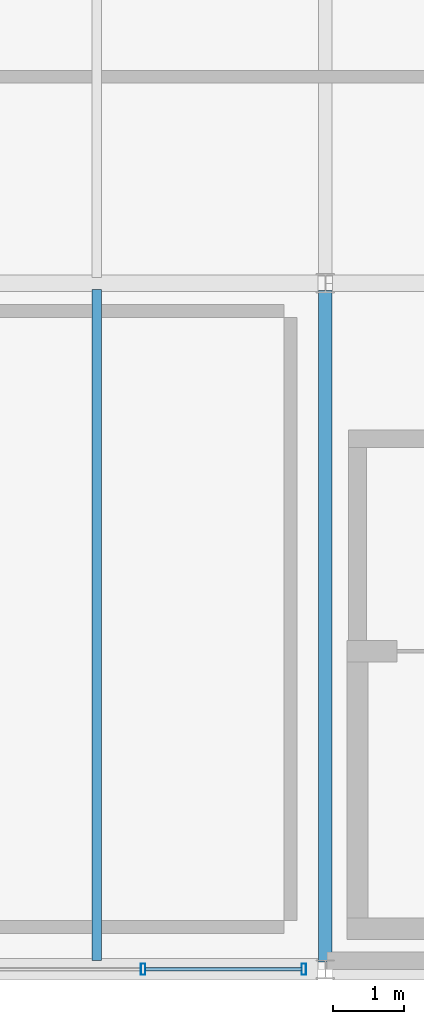
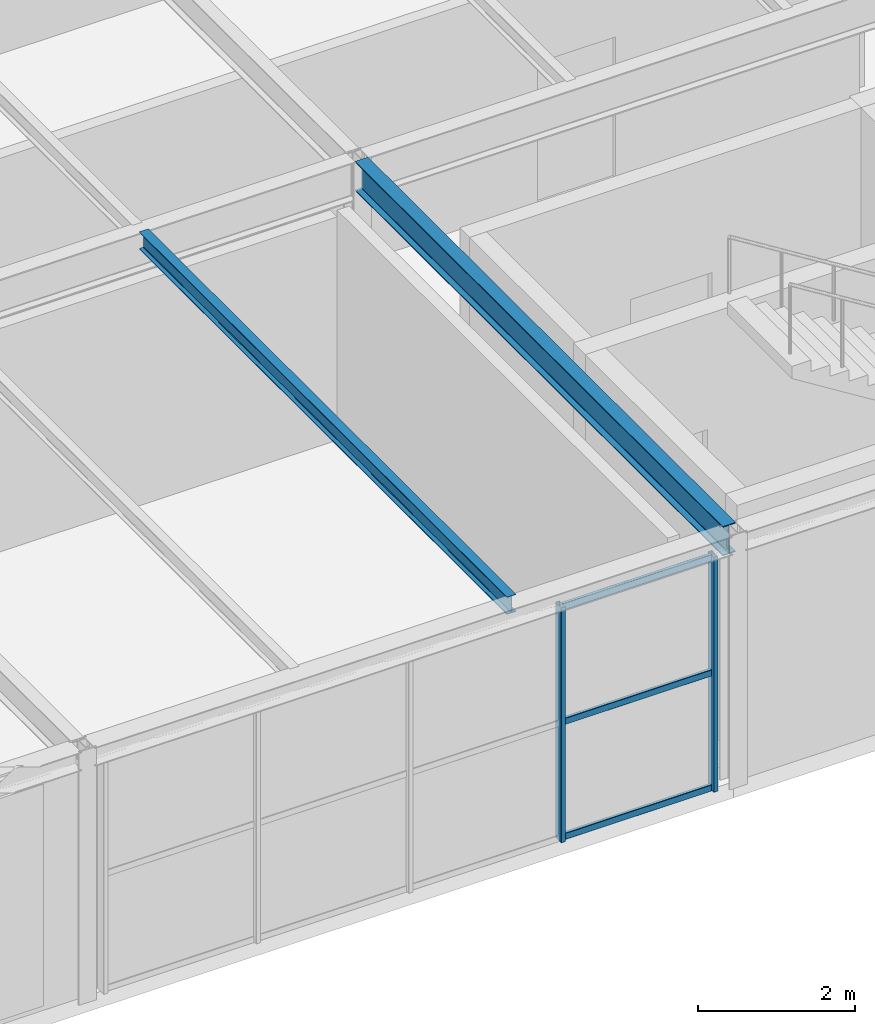
# One storey, part 9 of 39: 5 members, 2 beams, 1 element without a shape of its own.
"""IFC4 building model written with IfcOpenShell, lengths in metres."""

from ifc_helpers import new_model, si_unit, direction, frame, origin, origin_2d, place, context, subcontext, project, spatial, hollow_rectangle, i_section, extrude, material, material_profile, profile_set, type_object, element, aggregate, save


model = new_model("IFC4")

# Units and contexts
model_context = context("Model", 3, precision=1e-05, world=origin(), true_north=direction((0.0, 1.0)))
body_context = subcontext(model_context, "Body", "Model", "MODEL_VIEW")
ifc_project = project(units=[si_unit("LENGTHUNIT", "METRE"), si_unit("AREAUNIT", "SQUARE_METRE"), si_unit("VOLUMEUNIT", "CUBIC_METRE"), si_unit("PLANEANGLEUNIT", "RADIAN"), si_unit("MASSUNIT", "GRAM", prefix="KILO")], contexts=[model_context])

# Site, building, storey
site_placement = place(None, origin())
site = spatial("IfcSite", under=ifc_project, at=site_placement, CompositionType="ELEMENT")
building_placement = place(site_placement, origin())
building = spatial("IfcBuilding", under=site, at=building_placement, Name="Coralgate Yard Interchange", CompositionType="ELEMENT")
storey_placement = place(building_placement, frame((0.0, 0.0, 18.89990234375)))
storey = spatial("IfcBuildingStorey", under=building, at=storey_placement, Name="L04", CompositionType="ELEMENT", Elevation=18.89990234375)

# Beams
ifc_material_1 = material(Name="Structural steel S355J2", Category="steel")
ifc_material_profile_1 = material_profile(ifc_material_1, i_section(OverallWidth=0.1904296875, OverallDepth=0.45703125, WebThickness=0.009033203125, FlangeThickness=0.014404296875, FilletRadius=0.01025390625, at=origin_2d()), Name="UB 457x191x74")
ifc_profile_set_1 = profile_set([ifc_material_profile_1], Name="Structural steel S355J2")
beam_type_1 = type_object("IfcBeamType", Name="BM-SB-2", PredefinedType="BEAM", material=ifc_profile_set_1)
beam_1_placement = place(storey_placement, frame((19.199951171875, 0.103271484375, 3.7216796875), z_axis=(0.0, 1.0, 0.0), x_axis=(-1.0, 0.0, 0.0)))
element("IfcBeam", 1, at=beam_1_placement, inside=storey, type_object=beam_type_1, Name="L04 primary grid girder X2 Y0-1", PredefinedType="BEAM", context=body_context, shape_type="SweptSolid", body=[
    extrude(i_section(OverallWidth=0.1904296875, OverallDepth=0.45703125, WebThickness=0.009033203125, FlangeThickness=0.014404296875, FilletRadius=0.01025390625, at=origin_2d()), origin(), (0.0, 0.0, 1.0), 9.393310546875),
])
ifc_material_profile_2 = material_profile(ifc_material_1, i_section(OverallWidth=0.135009765625, OverallDepth=0.27001953125, WebThickness=0.006591796875, FlangeThickness=0.01025390625, FilletRadius=0.014892578125, at=origin_2d()), Name="IPE 270")
ifc_profile_set_2 = profile_set([ifc_material_profile_2], Name="Structural steel S355J2")
beam_type_2 = type_object("IfcBeamType", Name="BM-SJ-3", PredefinedType="JOIST", material=ifc_profile_set_2)
beam_2_placement = place(storey_placement, frame((16.0, 0.1201171875, 3.815185546875), z_axis=(0.0, 1.0, 0.0), x_axis=(-1.0, 0.0, 0.0)))
element("IfcBeam", 2, at=beam_2_placement, inside=storey, type_object=beam_type_2, Name="L04 composite floor joist 1-0-2", PredefinedType="JOIST", context=body_context, shape_type="SweptSolid", body=[
    extrude(i_section(OverallWidth=0.135009765625, OverallDepth=0.27001953125, WebThickness=0.006591796875, FlangeThickness=0.01025390625, FilletRadius=0.014892578125, at=origin_2d()), origin(), (0.0, 0.0, 1.0), 9.395751953125),
])

# Curtain wall, members
ifc_material_2 = material(Name="Anodised coastal aluminium and solar-control low-E glass", Category="aluminium")
curtain_wall_type = type_object("IfcCurtainWallType", Name="CW-CW-L04-A", PredefinedType="NOTDEFINED", material=ifc_material_2)
curtain_wall_placement = place(storey_placement, origin())
curtain_wall = element("IfcCurtainWall", 3, at=curtain_wall_placement, inside=storey, type_object=curtain_wall_type, Name="L04 unitised curtain wall CW-L04-S-01-00", PredefinedType="NOTDEFINED")
ifc_material_3 = material(Name="Anodised coastal aluminium 6063-T6", Category="aluminium")
ifc_material_profile_3 = material_profile(ifc_material_3, hollow_rectangle(XDim=0.06494140625, YDim=0.159912109375, WallThickness=0.00390625, InnerFilletRadius=0.00390625, OuterFilletRadius=0.008056640625, at=origin_2d()), Name="ALU 65x160x4")
ifc_profile_set_3 = profile_set([ifc_material_profile_3], Name="Anodised coastal aluminium 6063-T6")
member_type_1 = type_object("IfcMemberType", Name="MB-MUL-160", PredefinedType="MULLION", material=ifc_profile_set_3)
member_1_placement = place(storey_placement, frame((18.89990234375, 0.0, 0.0), z_axis=(0.0, 0.0, 1.0), x_axis=(1.0, 0.0, 0.0)))
member_1 = element("IfcMember", 4, at=member_1_placement, type_object=member_type_1, Name="CW-L04-S-01-00 vertical mullion 1", PredefinedType="MULLION", context=body_context, shape_type="SweptSolid", body=[
    extrude(hollow_rectangle(XDim=0.06494140625, YDim=0.159912109375, WallThickness=0.00390625, InnerFilletRadius=0.00390625, OuterFilletRadius=0.008056640625, at=origin_2d()), origin(), (0.0, 0.0, 1.0), 3.66015625),
])
member_2_placement = place(storey_placement, frame((16.64990234375, 0.0, 0.0), z_axis=(0.0, 0.0, 1.0), x_axis=(1.0, 0.0, 0.0)))
member_2 = element("IfcMember", 5, at=member_2_placement, type_object=member_type_1, Name="CW-L04-S-01-00 vertical mullion 2", PredefinedType="MULLION", context=body_context, shape_type="SweptSolid", body=[
    extrude(hollow_rectangle(XDim=0.06494140625, YDim=0.159912109375, WallThickness=0.00390625, InnerFilletRadius=0.00390625, OuterFilletRadius=0.008056640625, at=origin_2d()), origin(), (0.0, 0.0, 1.0), 3.66015625),
])
ifc_material_profile_4 = material_profile(ifc_material_3, hollow_rectangle(XDim=0.050048828125, YDim=0.10009765625, WallThickness=0.0029296875, InnerFilletRadius=0.0029296875, OuterFilletRadius=0.006103515625, at=origin_2d()), Name="ALU 50x100x3")
ifc_profile_set_4 = profile_set([ifc_material_profile_4], Name="Anodised coastal aluminium 6063-T6")
member_type_2 = type_object("IfcMemberType", Name="MB-TRN-100", PredefinedType="USERDEFINED", material=ifc_profile_set_4)
member_3_placement = place(storey_placement, frame((18.8701171875, 0.0, 0.03515625), z_axis=(-1.0, 0.0, 0.0), x_axis=(0.0, -1.0, 0.0)))
member_3 = element("IfcMember", 6, at=member_3_placement, type_object=member_type_2, Name="CW-L04-S-01-00 horizontal transom 1-1", ObjectType="TRANSOM", PredefinedType="USERDEFINED", context=body_context, shape_type="SweptSolid", body=[
    extrude(hollow_rectangle(XDim=0.050048828125, YDim=0.10009765625, WallThickness=0.0029296875, InnerFilletRadius=0.0029296875, OuterFilletRadius=0.006103515625, at=origin_2d()), origin(), (0.0, 0.0, 1.0), 2.190185546875),
])
member_4_placement = place(storey_placement, frame((18.8701171875, 0.0, 1.830078125), z_axis=(-1.0, 0.0, 0.0), x_axis=(0.0, -1.0, 0.0)))
member_4 = element("IfcMember", 7, at=member_4_placement, type_object=member_type_2, Name="CW-L04-S-01-00 horizontal transom 1-2", ObjectType="TRANSOM", PredefinedType="USERDEFINED", context=body_context, shape_type="SweptSolid", body=[
    extrude(hollow_rectangle(XDim=0.050048828125, YDim=0.10009765625, WallThickness=0.0029296875, InnerFilletRadius=0.0029296875, OuterFilletRadius=0.006103515625, at=origin_2d()), origin(), (0.0, 0.0, 1.0), 2.190185546875),
])
member_5_placement = place(storey_placement, frame((18.8701171875, 0.0, 3.625), z_axis=(-1.0, 0.0, 0.0), x_axis=(0.0, -1.0, 0.0)))
member_5 = element("IfcMember", 8, at=member_5_placement, type_object=member_type_2, Name="CW-L04-S-01-00 horizontal transom 1-3", ObjectType="TRANSOM", PredefinedType="USERDEFINED", context=body_context, shape_type="SweptSolid", body=[
    extrude(hollow_rectangle(XDim=0.050048828125, YDim=0.10009765625, WallThickness=0.0029296875, InnerFilletRadius=0.0029296875, OuterFilletRadius=0.006103515625, at=origin_2d()), origin(), (0.0, 0.0, 1.0), 2.190185546875),
])
aggregate(curtain_wall, [member_1, member_2, member_3, member_4, member_5])

save(model, "model.ifc")
